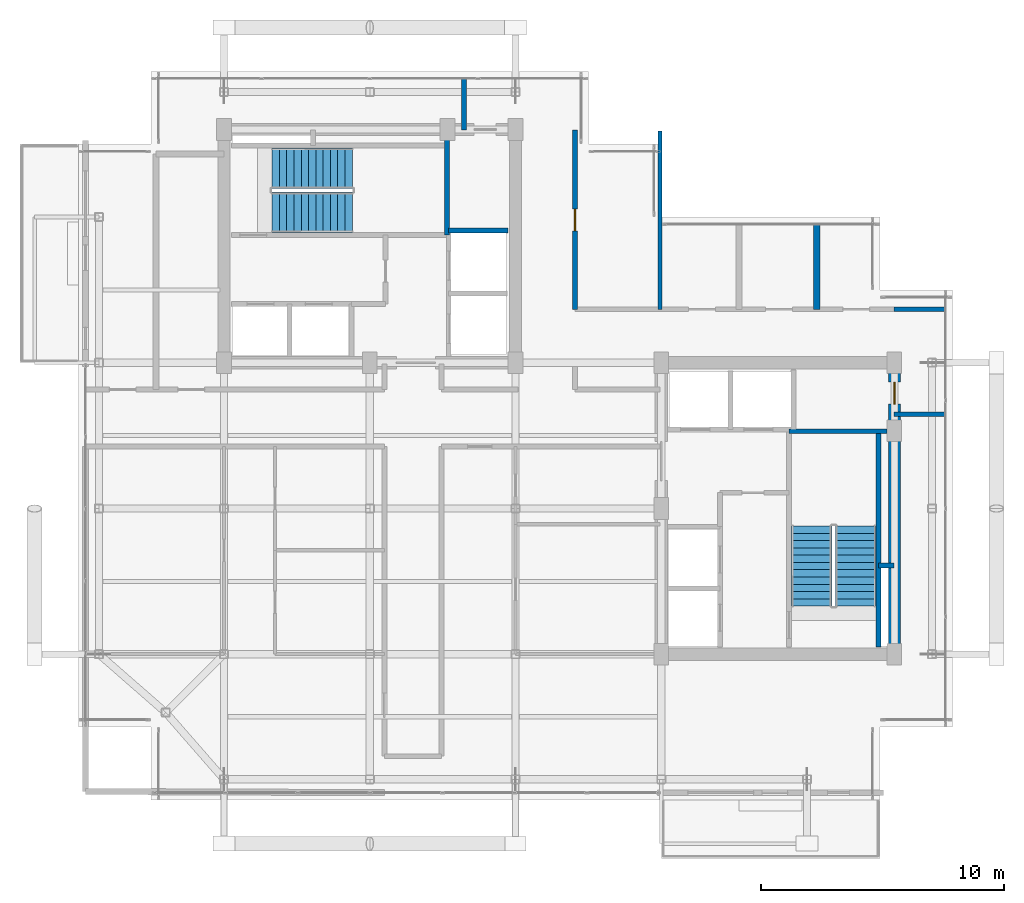
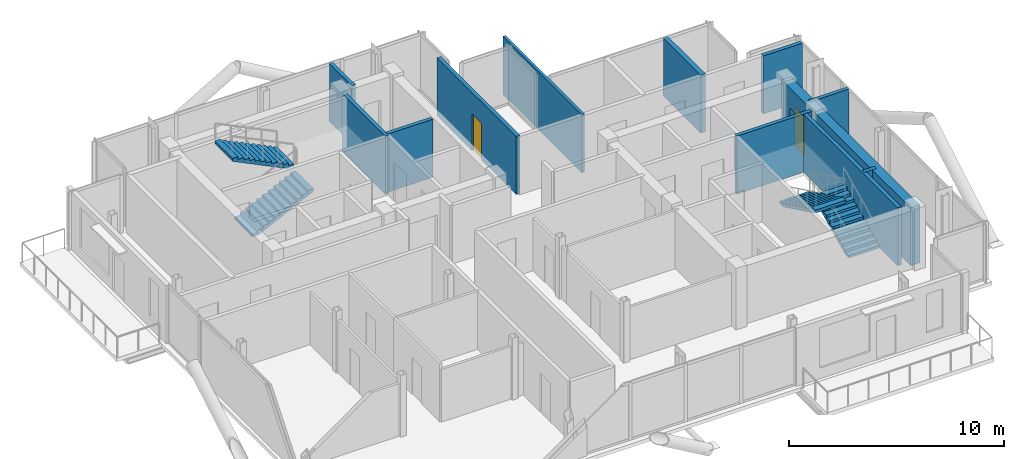
# One storey, part 17 of 19: 12 walls, 4 stair flights, 2 doors, 2 openings, 2 elements without a shape of their own.
"""IFC4 building model written with IfcOpenShell, lengths in metres."""

from ifc_helpers import new_model, si_unit, direction, frame, frame_2d, origin, place, context, subcontext, project, spatial, polyline, rectangle, outline, extrude, material, layer, layer_set, type_object, element, fill, aggregate, save


model = new_model("IFC4")

# Units and contexts
model_context = context("Model", 3, precision=1e-05, world=origin(), true_north=direction((0.0, 1.0)))
body_context = subcontext(model_context, "Body", "Model", "MODEL_VIEW")
ifc_project = project(units=[si_unit("LENGTHUNIT", "METRE"), si_unit("AREAUNIT", "SQUARE_METRE"), si_unit("VOLUMEUNIT", "CUBIC_METRE"), si_unit("PLANEANGLEUNIT", "RADIAN"), si_unit("MASSUNIT", "GRAM", prefix="KILO"), si_unit("THERMODYNAMICTEMPERATUREUNIT", "KELVIN"), si_unit("POWERUNIT", "WATT")], contexts=[model_context])

# Site, building, storey
site_placement = place(None, origin())
site = spatial("IfcSite", under=ifc_project, at=site_placement, CompositionType="ELEMENT")
building_placement = place(site_placement, origin())
building = spatial("IfcBuilding", under=site, at=building_placement, Name="Svarakhadi Broadcast Tower", CompositionType="ELEMENT")
storey_placement = place(building_placement, frame((0.0, 0.0, 243.199951171875)))
storey = spatial("IfcBuildingStorey", under=building, at=storey_placement, Name="L60", CompositionType="ELEMENT", Elevation=243.199951171875)

# Wall
ifc_material_1 = material(Name="Double-Stud Acoustic Studio Partition STC-62", Category="gypsum")
ifc_layer_1 = layer(ifc_material_1, 0.199951171875)
ifc_layer_set_1 = layer_set([ifc_layer_1], Name="Double-Stud Acoustic Studio Partition STC-62")
wall_type_1 = type_object("IfcWallType", Name="Wall_Acoust_200", PredefinedType="PARTITIONING", material=ifc_layer_set_1)
wall_1_placement = place(storey_placement, frame((15.8798828125, 27.580078125, 0.0), z_axis=(0.0, 0.0, 1.0), x_axis=(0.0, 1.0, 0.0)))
element("IfcWall", 1, at=wall_1_placement, inside=storey, type_object=wall_type_1, Name="L60 Upper Tower Concourse Wall", PredefinedType="PARTITIONING", context=body_context, shape_type="SweptSolid", body=[
    extrude(rectangle(XDim=2.119873046875, YDim=0.199951171875, at=frame_2d((1.06005859375, 0.0))), origin(), (0.0, 0.0, 1.0), 3.300048828125),
])

# Wall, opening, door
wall_2_placement = place(storey_placement, frame((20.449951171875, 27.580078125, 0.0), z_axis=(0.0, 0.0, 1.0), x_axis=(0.0, -1.0, 0.0)))
wall_2 = element("IfcWall", 2, at=wall_2_placement, inside=storey, type_object=wall_type_1, Name="L60 Upper Tower Concourse Wall", PredefinedType="PARTITIONING", context=body_context, shape_type="SweptSolid", body=[
    extrude(rectangle(XDim=7.380126953125, YDim=0.199951171875, at=frame_2d((3.68994140625, 0.0))), origin(), (0.0, 0.0, 1.0), 3.300048828125),
])
opening_1_placement = place(wall_2_placement, frame((3.2548828125, 0.0, 0.0)))
opening_1 = element("IfcOpeningElement", 3, at=opening_1_placement, cuts=wall_2, Name="Opening D-12", PredefinedType="OPENING", context=body_context, shape_type="SweptSolid", body=[
    extrude(rectangle(XDim=0.89990234375, YDim=2.10009765625, at=frame_2d((0.449951171875, 1.050048828125))), frame((0.0, 0.10986328125, 0.0), z_axis=(0.0, -1.0, 0.0), x_axis=(1.0, 0.0, 0.0)), (0.0, 0.0, 1.0), 0.219970703125),
])
ifc_material_2 = material(Name="Solid-Core Teak Veneer Acoustic Timber Leaf", Category="wood")
door_type_1 = type_object("IfcDoorType", Name="Door_WC_D01", OperationType="SINGLE_SWING_LEFT", PredefinedType="DOOR", material=ifc_material_2)
door_1_placement = place(opening_1_placement, origin())
door_1 = element("IfcDoor", 4, at=door_1_placement, inside=storey, type_object=door_type_1, Name="L60 Accessible Visitor Washroom WC Door", OperationType="SINGLE_SWING_LEFT", OverallHeight=2.10009765625, OverallWidth=0.89990234375, PredefinedType="DOOR", context=body_context, shape_type="SweptSolid", body=[
    extrude(rectangle(XDim=0.89990234375, YDim=2.10009765625, at=frame_2d((0.449951171875, 1.050048828125))), frame((0.0, 0.02490234375, 0.0), z_axis=(0.0, -1.0, 0.0), x_axis=(1.0, 0.0, 0.0)), (0.0, 0.0, 1.0), 0.050048828125),
])
fill(opening_1, door_1)

# Walls
for number, where, z_axis, x_axis, name in (
    (5, (33.580078125, 20.199951171875, 0.0), (0.0, 0.0, 1.0), (1.0, 0.0, 0.0), "L60 Upper Tower Concourse Wall"),
    (6, (35.699951171875, 15.8798828125, 0.0), (0.0, 0.0, 1.0), (-1.0, 0.0, 0.0), "L60 Upper Tower Concourse Wall"),
):
    element("IfcWall", number, at=place(storey_placement, frame(where, z_axis=z_axis, x_axis=x_axis)), inside=storey, type_object=wall_type_1, Name=name, PredefinedType="PARTITIONING", context=body_context, shape_type="SweptSolid", body=[
        extrude(rectangle(XDim=2.119873046875, YDim=0.199951171875, at=frame_2d((1.06005859375, 0.0))), origin(), (0.0, 0.0, 1.0), 3.300048828125),
    ])
ifc_layer_2 = layer(ifc_material_1, 0.25)
ifc_layer_set_2 = layer_set([ifc_layer_2], Name="Double-Stud Acoustic Studio Partition STC-62")
wall_type_2 = type_object("IfcWallType", Name="Wall_Acoust_250", PredefinedType="PARTITIONING", material=ifc_layer_set_2)
wall_3_placement = place(storey_placement, frame((30.39990234375, 20.199951171875, 0.0), z_axis=(0.0, 0.0, 1.0), x_axis=(0.0, 1.0, 0.0)))
element("IfcWall", 7, at=wall_3_placement, inside=storey, type_object=wall_type_2, Name="L60 Private Sommelier Tasting Pantry Wall", PredefinedType="PARTITIONING", context=body_context, shape_type="SweptSolid", body=[
    extrude(rectangle(XDim=3.5, YDim=0.25, at=frame_2d((1.75, 0.0))), origin(), (0.0, 0.0, 1.0), 3.300048828125),
])
ifc_material_3 = material(Name="Concrete C40/50 (IS 456 M50)", Category="concrete")
ifc_layer_3 = layer(ifc_material_3, 0.199951171875)
ifc_layer_set_3 = layer_set([ifc_layer_3], Name="Concrete C40/50 (IS 456 M50)")
wall_type_3 = type_object("IfcWallType", Name="Wall_Fire_200", PredefinedType="SOLIDWALL", material=ifc_layer_set_3)
wall_4_placement = place(storey_placement, frame((32.93994140625, 9.659912109375, 0.0), z_axis=(0.0, 0.0, 1.0), x_axis=(1.0, 0.0, 0.0)))
element("IfcWall", 8, at=wall_4_placement, inside=storey, type_object=wall_type_3, Name="L60 HV Busduct Riser Shaft North Wall", PredefinedType="SOLIDWALL", context=body_context, shape_type="SweptSolid", body=[
    extrude(rectangle(XDim=0.64013671875, YDim=0.199951171875, at=frame_2d((0.320068359375, 0.0))), origin(), (0.0, 0.0, 1.0), 3.300048828125),
])
ifc_material_4 = material(Name="Autoclaved Aerated Concrete Blockwork 150 mm", Category="masonry")
ifc_layer_4 = layer(ifc_material_4, 0.14990234375)
ifc_layer_set_4 = layer_set([ifc_layer_4], Name="Autoclaved Aerated Concrete Blockwork 150 mm")
wall_type_4 = type_object("IfcWallType", Name="Wall_Part_150", PredefinedType="PARTITIONING", material=ifc_layer_set_4)
wall_5_placement = place(storey_placement, frame((23.949951171875, 20.199951171875, 0.0), z_axis=(0.0, 0.0, 1.0), x_axis=(0.0, 1.0, 0.0)))
element("IfcWall", 9, at=wall_5_placement, inside=storey, type_object=wall_type_4, Name="L60 Accessible Visitor Washroom WC Wall", PredefinedType="PARTITIONING", context=body_context, shape_type="SweptSolid", body=[
    extrude(rectangle(XDim=7.35009765625, YDim=0.14990234375, at=frame_2d((3.675048828125, 0.0))), origin(), (0.0, 0.0, 1.0), 3.300048828125),
])
ifc_material_5 = material(Name="Concrete C50/60 (IS 456 M60)", Category="concrete")
ifc_layer_5 = layer(ifc_material_5, 0.199951171875)
ifc_layer_set_5 = layer_set([ifc_layer_5], Name="Concrete C50/60 (IS 456 M60)")
wall_type_5 = type_object("IfcWallType", Name="Wall_Shear_200", PredefinedType="SHEAR", material=ifc_layer_set_5)
wall_6_placement = place(storey_placement, frame((15.179931640625, 23.260009765625, 0.0), z_axis=(0.0, 0.0, 1.0), x_axis=(0.0, 1.0, 0.0)))
element("IfcWall", 10, at=wall_6_placement, inside=storey, type_object=wall_type_5, Name="L60 Stair ST-01 East RC Shaft Wall", PredefinedType="SHEAR", context=body_context, shape_type="SweptSolid", body=[
    extrude(rectangle(XDim=4.0400390625, YDim=0.199951171875, at=frame_2d((2.02001953125, 0.0))), origin(), (0.0, 0.0, 1.0), 3.300048828125),
])
wall_7_placement = place(storey_placement, frame((32.93994140625, 6.300048828125, 0.0), z_axis=(0.0, 0.0, 1.0), x_axis=(0.0, 1.0, 0.0)))
element("IfcWall", 11, at=wall_7_placement, inside=storey, type_object=wall_type_5, Name="L60 Stair ST-02 East RC Shaft Wall", PredefinedType="SHEAR", context=body_context, shape_type="SweptSolid", body=[
    extrude(rectangle(XDim=8.8798828125, YDim=0.199951171875, at=frame_2d((4.43994140625, 0.0))), origin(), (0.0, 0.0, 1.0), 3.300048828125),
])
wall_8_placement = place(storey_placement, frame((29.260009765625, 15.179931640625, 0.0), z_axis=(0.0, 0.0, 1.0), x_axis=(1.0, 0.0, 0.0)))
element("IfcWall", 12, at=wall_8_placement, inside=storey, type_object=wall_type_5, Name="L60 Stair ST-02 North RC Shaft Wall", PredefinedType="SHEAR", context=body_context, shape_type="SweptSolid", body=[
    extrude(rectangle(XDim=4.0400390625, YDim=0.199951171875, at=frame_2d((2.02001953125, 0.0))), origin(), (0.0, 0.0, 1.0), 3.300048828125),
])
wall_9_placement = place(storey_placement, frame((15.25, 23.449951171875, 0.0), z_axis=(0.0, 0.0, 1.0), x_axis=(1.0, 0.0, 0.0)))
element("IfcWall", 13, at=wall_9_placement, inside=storey, type_object=wall_type_5, Name="L60 High-Rise Lift LF-13/14 North Wall", PredefinedType="SHEAR", context=body_context, shape_type="SweptSolid", body=[
    extrude(rectangle(XDim=2.449951171875, YDim=0.199951171875, at=frame_2d((1.22509765625, 0.0))), origin(), (0.0, 0.0, 1.0), 3.300048828125),
])

# Wall, opening, door
ifc_layer_6 = layer(ifc_material_5, 0.5)
ifc_layer_set_6 = layer_set([ifc_layer_6], Name="Concrete C50/60 (IS 456 M60)")
wall_type_6 = type_object("IfcWallType", Name="Wall_Shear_500", PredefinedType="SHEAR", material=ifc_layer_set_6)
wall_10_placement = place(storey_placement, frame((33.60009765625, 6.0, 0.0), z_axis=(0.0, 0.0, 1.0), x_axis=(0.0, 1.0, 0.0)))
wall_10 = element("IfcWall", 14, at=wall_10_placement, inside=storey, type_object=wall_type_6, Name="L60 East Core East Shear Wall", PredefinedType="SHEAR", context=body_context, shape_type="SweptSolid", body=[
    extrude(rectangle(XDim=12.0, YDim=0.5, at=frame_2d((6.0, 0.0))), origin(), (0.0, 0.0, 1.0), 3.300048828125),
])
opening_2_placement = place(wall_10_placement, frame((10.300048828125, 0.0, 0.0)))
opening_2 = element("IfcOpeningElement", 15, at=opening_2_placement, cuts=wall_10, Name="Opening D-03", PredefinedType="OPENING", context=body_context, shape_type="SweptSolid", body=[
    extrude(rectangle(XDim=0.89990234375, YDim=2.14990234375, at=frame_2d((0.449951171875, 1.074951171875))), frame((0.0, 0.260009765625, 0.0), z_axis=(0.0, -1.0, 0.0), x_axis=(1.0, 0.0, 0.0)), (0.0, 0.0, 1.0), 0.52001953125),
])
ifc_material_6 = material(Name="Galvanised Powder-Coated Fire-Rated Steel Leaf", Category="steel")
door_type_2 = type_object("IfcDoorType", Name="Door_Fire_D03", OperationType="SINGLE_SWING_LEFT", PredefinedType="DOOR", material=ifc_material_6)
door_2_placement = place(opening_2_placement, origin())
door_2 = element("IfcDoor", 16, at=door_2_placement, inside=storey, type_object=door_type_2, Name="L60 Core Service Room East Door", OperationType="SINGLE_SWING_LEFT", OverallHeight=2.14990234375, OverallWidth=0.89990234375, PredefinedType="DOOR", context=body_context, shape_type="SweptSolid", body=[
    extrude(rectangle(XDim=0.89990234375, YDim=2.14990234375, at=frame_2d((0.449951171875, 1.074951171875))), frame((0.0, 0.02490234375, 0.0), z_axis=(0.0, -1.0, 0.0), x_axis=(1.0, 0.0, 0.0)), (0.0, 0.0, 1.0), 0.050048828125),
])
fill(opening_2, door_2)

# Stair, stair flights
stair_type = type_object("IfcStairType", Name="Stair_Exit_Core", PredefinedType="HALF_TURN_STAIR", material=ifc_material_3)
stair_1_placement = place(storey_placement, origin())
stair_1 = element("IfcStair", 17, at=stair_1_placement, inside=storey, type_object=stair_type, Name="L60 West Core Protected Exit Stair ST-01", PredefinedType="HALF_TURN_STAIR")
stair_flight_type = type_object("IfcStairFlightType", Name="Flight_RC_1680", PredefinedType="STRAIGHT", material=ifc_material_3)
stair_flight_1_placement = place(storey_placement, frame((7.97998046875, 24.18994140625, 0.0), z_axis=(0.0, 0.0, 1.0), x_axis=(1.0, 0.0, 0.0)))
stair_flight_1 = element("IfcStairFlight", 18, at=stair_flight_1_placement, type_object=stair_flight_type, Name="ST-01 flight 1", NumberOfRisers=12, NumberOfTreads=11, PredefinedType="STRAIGHT", RiserHeight=0.145833333, TreadLength=0.3, context=body_context, shape_type="SweptSolid", body=[
    extrude(outline(polyline([(0.0, 0.0), (0.0, 0.145751953125), (0.300048828125, 0.145751953125), (0.300048828125, 0.291748046875), (0.60009765625, 0.291748046875), (0.60009765625, 0.4375), (0.89990234375, 0.4375), (0.89990234375, 0.583251953125), (1.199951171875, 0.583251953125), (1.199951171875, 0.729248046875), (1.5, 0.729248046875), (1.5, 0.875), (1.800048828125, 0.875), (1.800048828125, 1.020751953125), (2.10009765625, 1.020751953125), (2.10009765625, 1.166748046875), (2.39990234375, 1.166748046875), (2.39990234375, 1.3125), (2.699951171875, 1.3125), (2.699951171875, 1.458251953125), (3.0, 1.458251953125), (3.0, 1.604248046875), (3.300048828125, 1.604248046875), (3.300048828125, 1.75), (3.300048828125, 1.4375), (0.3427734375, 0.0), (0.0, 0.0)])), frame((0.0, 0.830078125, 0.0), z_axis=(0.0, -1.0, 0.0), x_axis=(1.0, 0.0, 0.0)), (0.0, 0.0, 1.0), 1.659912109375),
])
stair_flight_2_placement = place(storey_placement, frame((11.280029296875, 26.010009765625, 1.75), z_axis=(0.0, 0.0, 1.0), x_axis=(-1.0, 0.0, 0.0)))
stair_flight_2 = element("IfcStairFlight", 19, at=stair_flight_2_placement, type_object=stair_flight_type, Name="ST-01 flight 2", NumberOfRisers=12, NumberOfTreads=11, PredefinedType="STRAIGHT", RiserHeight=0.145833333, TreadLength=0.3, context=body_context, shape_type="SweptSolid", body=[
    extrude(outline(polyline([(0.0, 0.0), (0.0, 0.145751953125), (0.300048828125, 0.145751953125), (0.300048828125, 0.291748046875), (0.60009765625, 0.291748046875), (0.60009765625, 0.4375), (0.89990234375, 0.4375), (0.89990234375, 0.583251953125), (1.199951171875, 0.583251953125), (1.199951171875, 0.729248046875), (1.5, 0.729248046875), (1.5, 0.875), (1.800048828125, 0.875), (1.800048828125, 1.020751953125), (2.10009765625, 1.020751953125), (2.10009765625, 1.166748046875), (2.39990234375, 1.166748046875), (2.39990234375, 1.3125), (2.699951171875, 1.3125), (2.699951171875, 1.458251953125), (3.0, 1.458251953125), (3.0, 1.604248046875), (3.300048828125, 1.604248046875), (3.300048828125, 1.75), (3.300048828125, 1.4375), (0.3427734375, 0.0), (0.0, 0.0)])), frame((0.0, 0.830078125, 0.0), z_axis=(0.0, -1.0, 0.0), x_axis=(1.0, 0.0, 0.0)), (0.0, 0.0, 1.0), 1.659912109375),
])
aggregate(stair_1, [stair_flight_1, stair_flight_2])

stair_2_placement = place(storey_placement, origin())
stair_2 = element("IfcStair", 20, at=stair_2_placement, inside=storey, type_object=stair_type, Name="L60 East Core Protected Exit Stair ST-02", PredefinedType="HALF_TURN_STAIR")
stair_flight_3_placement = place(storey_placement, frame((32.010009765625, 7.97998046875, 0.0), z_axis=(0.0, 0.0, 1.0), x_axis=(0.0, 1.0, 0.0)))
stair_flight_3 = element("IfcStairFlight", 21, at=stair_flight_3_placement, type_object=stair_flight_type, Name="ST-02 flight 1", NumberOfRisers=12, NumberOfTreads=11, PredefinedType="STRAIGHT", RiserHeight=0.145833333, TreadLength=0.3, context=body_context, shape_type="SweptSolid", body=[
    extrude(outline(polyline([(0.0, 0.0), (0.0, 0.145751953125), (0.300048828125, 0.145751953125), (0.300048828125, 0.291748046875), (0.60009765625, 0.291748046875), (0.60009765625, 0.4375), (0.89990234375, 0.4375), (0.89990234375, 0.583251953125), (1.199951171875, 0.583251953125), (1.199951171875, 0.729248046875), (1.5, 0.729248046875), (1.5, 0.875), (1.800048828125, 0.875), (1.800048828125, 1.020751953125), (2.10009765625, 1.020751953125), (2.10009765625, 1.166748046875), (2.39990234375, 1.166748046875), (2.39990234375, 1.3125), (2.699951171875, 1.3125), (2.699951171875, 1.458251953125), (3.0, 1.458251953125), (3.0, 1.604248046875), (3.300048828125, 1.604248046875), (3.300048828125, 1.75), (3.300048828125, 1.4375), (0.3427734375, 0.0), (0.0, 0.0)])), frame((0.0, 0.830078125, 0.0), z_axis=(0.0, -1.0, 0.0), x_axis=(1.0, 0.0, 0.0)), (0.0, 0.0, 1.0), 1.659912109375),
])
stair_flight_4_placement = place(storey_placement, frame((30.18994140625, 11.280029296875, 1.75), z_axis=(0.0, 0.0, 1.0), x_axis=(0.0, -1.0, 0.0)))
stair_flight_4 = element("IfcStairFlight", 22, at=stair_flight_4_placement, type_object=stair_flight_type, Name="ST-02 flight 2", NumberOfRisers=12, NumberOfTreads=11, PredefinedType="STRAIGHT", RiserHeight=0.145833333, TreadLength=0.3, context=body_context, shape_type="SweptSolid", body=[
    extrude(outline(polyline([(0.0, 0.0), (0.0, 0.145751953125), (0.300048828125, 0.145751953125), (0.300048828125, 0.291748046875), (0.60009765625, 0.291748046875), (0.60009765625, 0.4375), (0.89990234375, 0.4375), (0.89990234375, 0.583251953125), (1.199951171875, 0.583251953125), (1.199951171875, 0.729248046875), (1.5, 0.729248046875), (1.5, 0.875), (1.800048828125, 0.875), (1.800048828125, 1.020751953125), (2.10009765625, 1.020751953125), (2.10009765625, 1.166748046875), (2.39990234375, 1.166748046875), (2.39990234375, 1.3125), (2.699951171875, 1.3125), (2.699951171875, 1.458251953125), (3.0, 1.458251953125), (3.0, 1.604248046875), (3.300048828125, 1.604248046875), (3.300048828125, 1.75), (3.300048828125, 1.4375), (0.3427734375, 0.0), (0.0, 0.0)])), frame((0.0, 0.830078125, 0.0), z_axis=(0.0, -1.0, 0.0), x_axis=(1.0, 0.0, 0.0)), (0.0, 0.0, 1.0), 1.659912109375),
])
aggregate(stair_2, [stair_flight_3, stair_flight_4])

save(model, "model.ifc")
